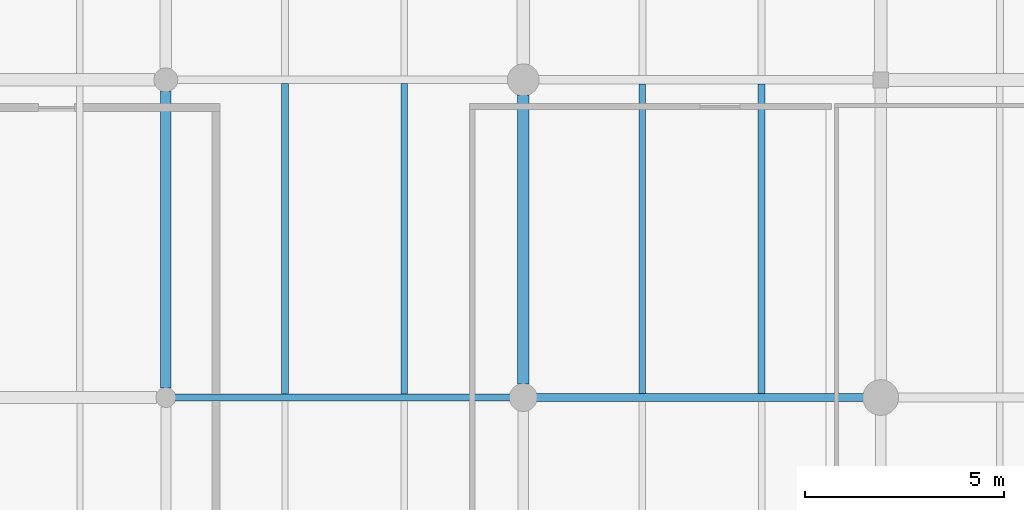
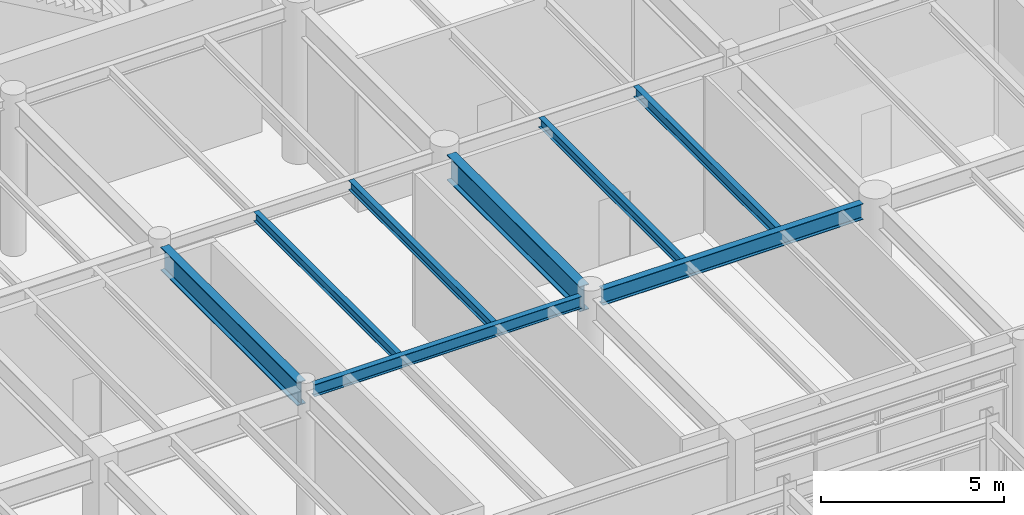
# One storey, part 90 of 203: 8 beams.
"""IFC4 building model written with IfcOpenShell, lengths in metres."""

from ifc_helpers import new_model, si_unit, direction, frame, origin, origin_2d, place, context, subcontext, project, spatial, i_section, extrude, material, material_profile, profile_set, type_object, element, save


model = new_model("IFC4")

# Units and contexts
model_context = context("Model", 3, precision=1e-05, world=origin(), true_north=direction((0.0, 1.0)))
body_context = subcontext(model_context, "Body", "Model", "MODEL_VIEW")
ifc_project = project(units=[si_unit("LENGTHUNIT", "METRE"), si_unit("AREAUNIT", "SQUARE_METRE"), si_unit("VOLUMEUNIT", "CUBIC_METRE"), si_unit("PLANEANGLEUNIT", "RADIAN"), si_unit("MASSUNIT", "GRAM", prefix="KILO"), si_unit("THERMODYNAMICTEMPERATUREUNIT", "KELVIN"), si_unit("POWERUNIT", "WATT")], contexts=[model_context])

# Site, building, storey
site_placement = place(None, origin())
site = spatial("IfcSite", under=ifc_project, at=site_placement, CompositionType="ELEMENT")
building_placement = place(site_placement, origin())
building = spatial("IfcBuilding", under=site, at=building_placement, Name="Tepalcoro Natatorium and Aquatics Centre", CompositionType="ELEMENT")
storey_placement = place(building_placement, origin())
storey = spatial("IfcBuildingStorey", under=building, at=storey_placement, Name="L00", CompositionType="ELEMENT", Elevation=0.0)

# Beams
ifc_material = material(Name="Steel ASTM A992 Grade 50 (Fy 345 MPa)", Category="steel")
ifc_material_profile_1 = material_profile(ifc_material, i_section(OverallWidth=0.177978515625, OverallDepth=0.406005859375, WebThickness=0.008056640625, FlangeThickness=0.012939453125, FilletRadius=0.013916015625, at=origin_2d()), Name="W16X40")
ifc_profile_set_1 = profile_set([ifc_material_profile_1], Name="Steel ASTM A992 Grade 50 (Fy 345 MPa)")
beam_type_1 = type_object("IfcBeamType", Name="BM_W16x40", PredefinedType="BEAM", material=ifc_profile_set_1)
beam_1_placement = place(storey_placement, frame((53.235107421875, 94.0, 4.94189453125), z_axis=(1.0, 0.0, 0.0), x_axis=(0.0, 1.0, 0.0)))
element("IfcBeam", 1, at=beam_1_placement, inside=storey, type_object=beam_type_1, Name="V4 L00 Grid Girder X", PredefinedType="BEAM", context=body_context, shape_type="SweptSolid", body=[
    extrude(i_section(OverallWidth=0.177978515625, OverallDepth=0.406005859375, WebThickness=0.008056640625, FlangeThickness=0.012939453125, FilletRadius=0.013916015625, at=origin_2d()), origin(), (0.0, 0.0, 1.0), 8.429931640625),
])
ifc_material_profile_2 = material_profile(ifc_material, i_section(OverallWidth=0.2099609375, OverallDepth=0.532958984375, WebThickness=0.010009765625, FlangeThickness=0.01611328125, FilletRadius=0.013916015625, at=origin_2d()), Name="W21X62")
ifc_profile_set_2 = profile_set([ifc_material_profile_2], Name="Steel ASTM A992 Grade 50 (Fy 345 MPa)")
beam_type_2 = type_object("IfcBeamType", Name="BM_W21x62", PredefinedType="BEAM", material=ifc_profile_set_2)
beam_2_placement = place(storey_placement, frame((62.3349609375, 94.0, 4.87841796875), z_axis=(1.0, 0.0, 0.0), x_axis=(0.0, 1.0, 0.0)))
element("IfcBeam", 2, at=beam_2_placement, inside=storey, type_object=beam_type_2, Name="V4 L00 Grid Girder X", PredefinedType="BEAM", context=body_context, shape_type="SweptSolid", body=[
    extrude(i_section(OverallWidth=0.2099609375, OverallDepth=0.532958984375, WebThickness=0.010009765625, FlangeThickness=0.01611328125, FilletRadius=0.013916015625, at=origin_2d()), origin(), (0.0, 0.0, 1.0), 8.22998046875),
])
ifc_material_profile_3 = material_profile(ifc_material, i_section(OverallWidth=0.26708984375, OverallDepth=0.780029296875, WebThickness=0.01708984375, FlangeThickness=0.030029296875, FilletRadius=0.013916015625, at=origin_2d()), Name="W30X148")
ifc_profile_set_3 = profile_set([ifc_material_profile_3], Name="Steel ASTM A992 Grade 50 (Fy 345 MPa)")
beam_type_3 = type_object("IfcBeamType", Name="BM_W30x148", PredefinedType="BEAM", material=ifc_profile_set_3)
beam_3_placement = place(storey_placement, frame((53.0, 94.235107421875, 4.7548828125), z_axis=(0.0, 1.0, 0.0), x_axis=(-1.0, 0.0, 0.0)))
element("IfcBeam", 3, at=beam_3_placement, inside=storey, type_object=beam_type_3, Name="V4 L00 Grid Girder Y", PredefinedType="BEAM", context=body_context, shape_type="SweptSolid", body=[
    extrude(i_section(OverallWidth=0.26708984375, OverallDepth=0.780029296875, WebThickness=0.01708984375, FlangeThickness=0.030029296875, FilletRadius=0.013916015625, at=origin_2d()), origin(), (0.0, 0.0, 1.0), 7.47998046875),
])
ifc_material_profile_4 = material_profile(ifc_material, i_section(OverallWidth=0.2919921875, OverallDepth=0.845947265625, WebThickness=0.014892578125, FlangeThickness=0.02392578125, FilletRadius=0.013916015625, at=origin_2d()), Name="W33X141")
ifc_profile_set_4 = profile_set([ifc_material_profile_4], Name="Steel ASTM A992 Grade 50 (Fy 345 MPa)")
beam_type_4 = type_object("IfcBeamType", Name="BM_W33x141", PredefinedType="BEAM", material=ifc_profile_set_4)
beam_4_placement = place(storey_placement, frame((62.0, 94.3349609375, 4.721923828125), z_axis=(0.0, 1.0, 0.0), x_axis=(-1.0, 0.0, 0.0)))
element("IfcBeam", 4, at=beam_4_placement, inside=storey, type_object=beam_type_4, Name="V4 L00 Grid Girder Y", PredefinedType="BEAM", context=body_context, shape_type="SweptSolid", body=[
    extrude(i_section(OverallWidth=0.2919921875, OverallDepth=0.845947265625, WebThickness=0.014892578125, FlangeThickness=0.02392578125, FilletRadius=0.013916015625, at=origin_2d()), origin(), (0.0, 0.0, 1.0), 7.280029296875),
])
ifc_material_profile_5 = material_profile(ifc_material, i_section(OverallWidth=0.1650390625, OverallDepth=0.31005859375, WebThickness=0.006103515625, FlangeThickness=0.010009765625, FilletRadius=0.013916015625, at=origin_2d()), Name="W12X26")
ifc_profile_set_5 = profile_set([ifc_material_profile_5], Name="Steel ASTM A992 Grade 50 (Fy 345 MPa)")
beam_type_5 = type_object("IfcBeamType", Name="JS_W12x26", PredefinedType="JOIST", material=ifc_profile_set_5)
beam_5_placement = place(storey_placement, frame((56.0, 94.089111328125, 4.989990234375), z_axis=(0.0, 1.0, 0.0), x_axis=(-1.0, 0.0, 0.0)))
element("IfcBeam", 5, at=beam_5_placement, inside=storey, type_object=beam_type_5, Name="V4 L00 Floor Joist", PredefinedType="JOIST", context=body_context, shape_type="SweptSolid", body=[
    extrude(i_section(OverallWidth=0.1650390625, OverallDepth=0.31005859375, WebThickness=0.006103515625, FlangeThickness=0.010009765625, FilletRadius=0.013916015625, at=origin_2d()), origin(), (0.0, 0.0, 1.0), 7.8154296875),
])
ifc_material_profile_6 = material_profile(ifc_material, i_section(OverallWidth=0.1669921875, OverallDepth=0.318115234375, WebThickness=0.008056640625, FlangeThickness=0.012939453125, FilletRadius=0.013916015625, at=origin_2d()), Name="W12X35")
ifc_profile_set_6 = profile_set([ifc_material_profile_6], Name="Steel ASTM A992 Grade 50 (Fy 345 MPa)")
beam_type_6 = type_object("IfcBeamType", Name="JS_W12x35", PredefinedType="JOIST", material=ifc_profile_set_6)
beam_6_placement = place(storey_placement, frame((59.0, 94.089111328125, 4.986083984375), z_axis=(0.0, 1.0, 0.0), x_axis=(-1.0, 0.0, 0.0)))
element("IfcBeam", 6, at=beam_6_placement, inside=storey, type_object=beam_type_6, Name="V4 L00 Floor Joist", PredefinedType="JOIST", context=body_context, shape_type="SweptSolid", body=[
    extrude(i_section(OverallWidth=0.1669921875, OverallDepth=0.318115234375, WebThickness=0.008056640625, FlangeThickness=0.012939453125, FilletRadius=0.013916015625, at=origin_2d()), origin(), (0.0, 0.0, 1.0), 7.8154296875),
])
beam_7_placement = place(storey_placement, frame((65.0, 94.10498046875, 4.986083984375), z_axis=(0.0, 1.0, 0.0), x_axis=(-1.0, 0.0, 0.0)))
element("IfcBeam", 7, at=beam_7_placement, inside=storey, type_object=beam_type_6, Name="V4 L00 Floor Joist", PredefinedType="JOIST", context=body_context, shape_type="SweptSolid", body=[
    extrude(i_section(OverallWidth=0.1669921875, OverallDepth=0.318115234375, WebThickness=0.008056640625, FlangeThickness=0.012939453125, FilletRadius=0.013916015625, at=origin_2d()), origin(), (0.0, 0.0, 1.0), 7.7890625),
])
ifc_material_profile_7 = material_profile(ifc_material, i_section(OverallWidth=0.1708984375, OverallDepth=0.35107421875, WebThickness=0.007080078125, FlangeThickness=0.010009765625, FilletRadius=0.013916015625, at=origin_2d()), Name="W14X30")
ifc_profile_set_7 = profile_set([ifc_material_profile_7], Name="Steel ASTM A992 Grade 50 (Fy 345 MPa)")
beam_type_7 = type_object("IfcBeamType", Name="JS_W14x30", PredefinedType="JOIST", material=ifc_profile_set_7)
beam_8_placement = place(storey_placement, frame((68.0, 94.10498046875, 4.969482421875), z_axis=(0.0, 1.0, 0.0), x_axis=(-1.0, 0.0, 0.0)))
element("IfcBeam", 8, at=beam_8_placement, inside=storey, type_object=beam_type_7, Name="V4 L00 Floor Joist", PredefinedType="JOIST", context=body_context, shape_type="SweptSolid", body=[
    extrude(i_section(OverallWidth=0.1708984375, OverallDepth=0.35107421875, WebThickness=0.007080078125, FlangeThickness=0.010009765625, FilletRadius=0.013916015625, at=origin_2d()), origin(), (0.0, 0.0, 1.0), 7.7890625),
])

save(model, "model.ifc")
